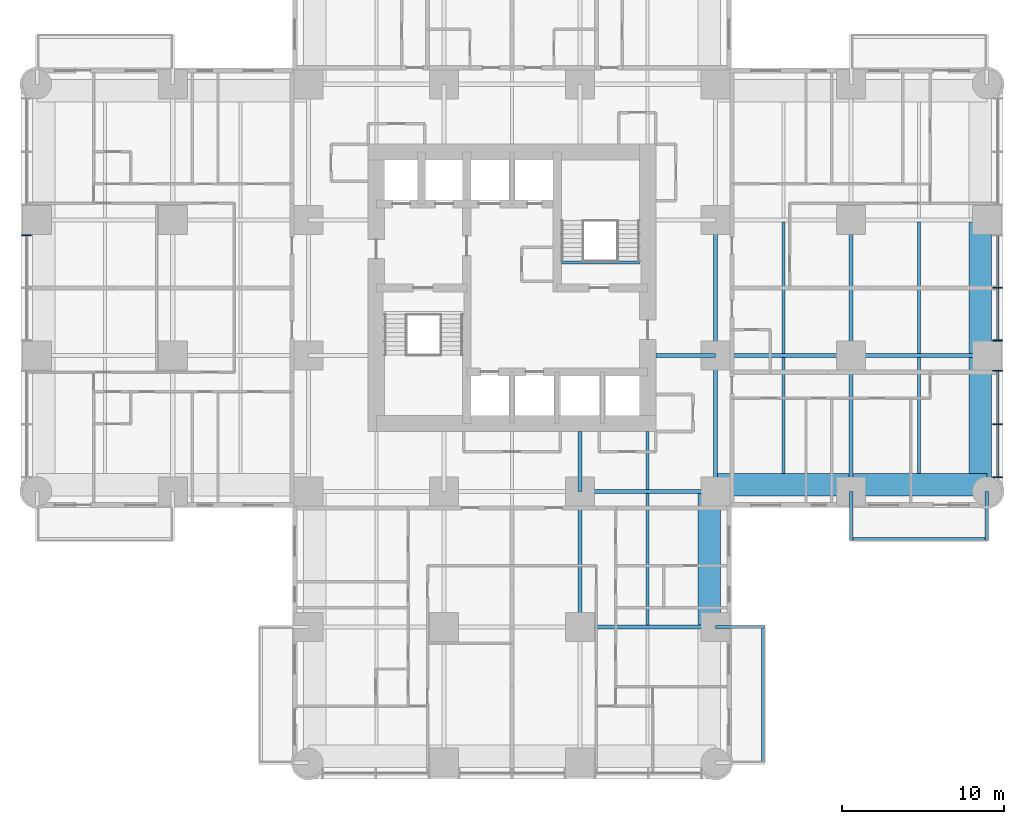
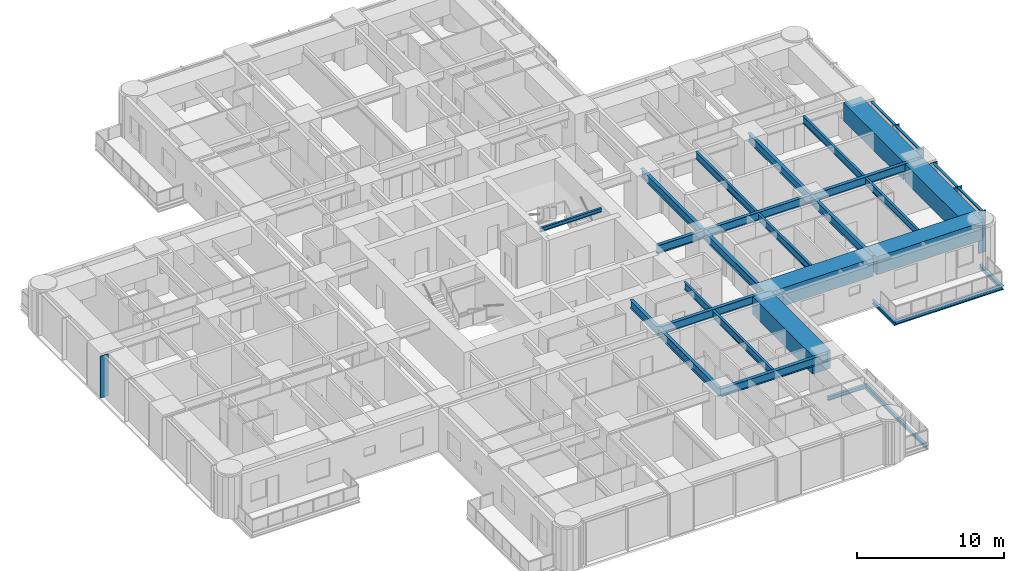
# One storey, part 3 of 17: 28 beams, 10 members, 2 elements without a shape of their own.
"""IFC4 building model written with IfcOpenShell, lengths in metres."""

from ifc_helpers import new_model, si_unit, direction, frame, origin, origin_2d, place, context, subcontext, project, spatial, rectangle, i_section, extrude, material, material_profile, profile_set, type_object, element, aggregate, save


model = new_model("IFC4")

# Units and contexts
model_context = context("Model", 3, precision=1e-05, world=origin(), true_north=direction((0.0, 1.0)))
body_context = subcontext(model_context, "Body", "Model", "MODEL_VIEW")
ifc_project = project(units=[si_unit("LENGTHUNIT", "METRE"), si_unit("AREAUNIT", "SQUARE_METRE"), si_unit("VOLUMEUNIT", "CUBIC_METRE"), si_unit("PLANEANGLEUNIT", "RADIAN"), si_unit("MASSUNIT", "GRAM", prefix="KILO")], contexts=[model_context])

# Site, building, storey
site_placement = place(None, origin())
site = spatial("IfcSite", under=ifc_project, at=site_placement, CompositionType="ELEMENT")
building_placement = place(site_placement, origin())
building = spatial("IfcBuilding", under=site, at=building_placement, Name="Torre Alcanfor", CompositionType="ELEMENT")
storey_placement = place(building_placement, frame((0.0, 0.0, 92.10009765625)))
storey = spatial("IfcBuildingStorey", under=building, at=storey_placement, Name="L23", CompositionType="ELEMENT", Elevation=92.10009765625)

# Beams
ifc_material_1 = material(Name="Steel ASTM A992 Grade 50", Category="steel")
ifc_material_profile_1 = material_profile(ifc_material_1, i_section(OverallWidth=0.205322265625, OverallDepth=0.309814453125, WebThickness=0.00927734375, FlangeThickness=0.016357421875, at=origin_2d()), Name="W12x50")
ifc_profile_set_1 = profile_set([ifc_material_profile_1], Name="Steel ASTM A992 Grade 50")
beam_type_1 = type_object("IfcBeamType", Name="Balcony cantilever beam W12x50", PredefinedType="BEAM", material=ifc_profile_set_1)
for number, where, z_axis, x_axis, name in (
    (1, (50.39990234375, 16.800048828125, -0.35498046875), (0.0, -1.0, 0.0), (1.0, 0.0, 0.0), "Balcony cantilever beam L23-E2 1"),
    (2, (58.800048828125, 16.800048828125, -0.35498046875), (0.0, -1.0, 0.0), (1.0, 0.0, 0.0), "Balcony cantilever beam L23-E2 2"),
    (3, (42.0, 8.39990234375, -0.35498046875), (1.0, 0.0, 0.0), (0.0, 1.0, 0.0), "Balcony cantilever beam L23-S1 1"),
):
    element("IfcBeam", number, at=place(storey_placement, frame(where, z_axis=z_axis, x_axis=x_axis)), inside=storey, type_object=beam_type_1, Name=name, PredefinedType="BEAM", context=body_context, shape_type="SweptSolid", body=[
        extrude(i_section(OverallWidth=0.205322265625, OverallDepth=0.309814453125, WebThickness=0.00927734375, FlangeThickness=0.016357421875, at=origin_2d()), origin(), (0.0, 0.0, 1.0), 3.050048828125),
    ])
ifc_material_2 = material(Name="Steel ASTM A992 Grade 50", Category="steel")
ifc_material_profile_2 = material_profile(ifc_material_2, i_section(OverallWidth=0.203369140625, OverallDepth=0.30224609375, WebThickness=0.007568359375, FlangeThickness=0.01318359375, at=origin_2d()), Name="W12x40")
ifc_profile_set_2 = profile_set([ifc_material_profile_2], Name="Steel ASTM A992 Grade 50")
beam_type_2 = type_object("IfcBeamType", Name="Balcony edge trimmer W12x40", PredefinedType="BEAM", material=ifc_profile_set_2)
beam_1_placement = place(storey_placement, frame((50.39990234375, 13.851806640625, -0.351318359375), z_axis=(1.0, 0.0, 0.0), x_axis=(0.0, 1.0, 0.0)))
element("IfcBeam", 4, at=beam_1_placement, inside=storey, type_object=beam_type_2, Name="Balcony edge trimmer L23-E2", PredefinedType="BEAM", context=body_context, shape_type="SweptSolid", body=[
    extrude(i_section(OverallWidth=0.203369140625, OverallDepth=0.30224609375, WebThickness=0.007568359375, FlangeThickness=0.01318359375, at=origin_2d()), origin(), (0.0, 0.0, 1.0), 8.400146484375),
])
beam_2_placement = place(storey_placement, frame((44.9482421875, 8.39990234375, -0.351318359375), z_axis=(0.0, -1.0, 0.0), x_axis=(1.0, 0.0, 0.0)))
element("IfcBeam", 5, at=beam_2_placement, inside=storey, type_object=beam_type_2, Name="Balcony edge trimmer L23-S1", PredefinedType="BEAM", context=body_context, shape_type="SweptSolid", body=[
    extrude(i_section(OverallWidth=0.203369140625, OverallDepth=0.30224609375, WebThickness=0.007568359375, FlangeThickness=0.01318359375, at=origin_2d()), origin(), (0.0, 0.0, 1.0), 8.39990234375),
])

# Curtain wall, member
ifc_material_3 = material(Name="Aluminium and glass", Category="aluminium")
curtain_wall_type = type_object("IfcCurtainWallType", Name="CW-A unitised apartment glazing with vertical FIN", PredefinedType="NOTDEFINED", material=ifc_material_3)
curtain_wall_1_placement = place(storey_placement, origin())
curtain_wall_1 = element("IfcCurtainWall", 6, at=curtain_wall_1_placement, inside=storey, type_object=curtain_wall_type, Name="Curtain wall CW-A L23 2", PredefinedType="NOTDEFINED")
ifc_material_4 = material(Name="Bronze anodised aluminium", Category="aluminium")
ifc_material_profile_3 = material_profile(ifc_material_4, rectangle(XDim=0.60009765625, YDim=0.06494140625, at=origin_2d()), Name="CW-A mullion 65x600")
ifc_profile_set_3 = profile_set([ifc_material_profile_3], Name="Bronze anodised aluminium")
member_type_1 = type_object("IfcMemberType", Name="CW-A mullion with vertical FIN 65x600", PredefinedType="MULLION", material=ifc_profile_set_3)
member_1_placement = place(storey_placement, frame((-0.64990234375, 32.66259765625, 0.0), z_axis=(0.0, 0.0, 1.0), x_axis=(1.0, 0.0, 0.0)))
member_1 = element("IfcMember", 7, at=member_1_placement, type_object=member_type_1, Name="CW-A mullion 2.1", PredefinedType="MULLION", context=body_context, shape_type="SweptSolid", body=[
    extrude(rectangle(XDim=0.60009765625, YDim=0.06494140625, at=origin_2d()), origin(), (0.0, 0.0, 1.0), 3.449951171875),
])
aggregate(curtain_wall_1, [member_1])

# Curtain wall, members
curtain_wall_2_placement = place(storey_placement, origin())
curtain_wall_2 = element("IfcCurtainWall", 8, at=curtain_wall_2_placement, inside=storey, type_object=curtain_wall_type, Name="Curtain wall CW-A L23 8", PredefinedType="NOTDEFINED")
member_2_placement = place(storey_placement, frame((59.449951171875, 17.6669921875, 0.0), z_axis=(0.0, 0.0, 1.0), x_axis=(-1.0, 0.0, 0.0)))
member_2 = element("IfcMember", 9, at=member_2_placement, type_object=member_type_1, Name="CW-A mullion 1.1", PredefinedType="MULLION", context=body_context, shape_type="SweptSolid", body=[
    extrude(rectangle(XDim=0.60009765625, YDim=0.06494140625, at=origin_2d()), origin(), (0.0, 0.0, 1.0), 3.449951171875),
])
member_3_placement = place(storey_placement, frame((59.449951171875, 20.96484375, 0.0), z_axis=(0.0, 0.0, 1.0), x_axis=(-1.0, 0.0, 0.0)))
member_3 = element("IfcMember", 10, at=member_3_placement, type_object=member_type_1, Name="CW-A mullion 1.2", PredefinedType="MULLION", context=body_context, shape_type="SweptSolid", body=[
    extrude(rectangle(XDim=0.60009765625, YDim=0.06494140625, at=origin_2d()), origin(), (0.0, 0.0, 1.0), 3.449951171875),
])
member_4_placement = place(storey_placement, frame((59.449951171875, 24.262451171875, 0.0), z_axis=(0.0, 0.0, 1.0), x_axis=(-1.0, 0.0, 0.0)))
member_4 = element("IfcMember", 11, at=member_4_placement, type_object=member_type_1, Name="CW-A mullion 1.3", PredefinedType="MULLION", context=body_context, shape_type="SweptSolid", body=[
    extrude(rectangle(XDim=0.60009765625, YDim=0.06494140625, at=origin_2d()), origin(), (0.0, 0.0, 1.0), 3.449951171875),
])
member_5_placement = place(storey_placement, frame((59.449951171875, 26.137451171875, 0.0), z_axis=(0.0, 0.0, 1.0), x_axis=(-1.0, 0.0, 0.0)))
member_5 = element("IfcMember", 12, at=member_5_placement, type_object=member_type_1, Name="CW-A mullion 2.1", PredefinedType="MULLION", context=body_context, shape_type="SweptSolid", body=[
    extrude(rectangle(XDim=0.60009765625, YDim=0.06494140625, at=origin_2d()), origin(), (0.0, 0.0, 1.0), 3.449951171875),
])
member_6_placement = place(storey_placement, frame((59.449951171875, 29.39990234375, 0.0), z_axis=(0.0, 0.0, 1.0), x_axis=(-1.0, 0.0, 0.0)))
member_6 = element("IfcMember", 13, at=member_6_placement, type_object=member_type_1, Name="CW-A mullion 2.2", PredefinedType="MULLION", context=body_context, shape_type="SweptSolid", body=[
    extrude(rectangle(XDim=0.60009765625, YDim=0.06494140625, at=origin_2d()), origin(), (0.0, 0.0, 1.0), 3.449951171875),
])
ifc_material_5 = material(Name="Extruded aluminium", Category="aluminium")
ifc_material_profile_4 = material_profile(ifc_material_5, rectangle(XDim=0.199951171875, YDim=0.06494140625, at=origin_2d()), Name="CW-A transom 200x65")
ifc_profile_set_4 = profile_set([ifc_material_profile_4], Name="Extruded aluminium")
member_type_2 = type_object("IfcMemberType", Name="CW-A transom 65x200", PredefinedType="USERDEFINED", material=ifc_profile_set_4)
member_7_placement = place(storey_placement, frame((59.449951171875, 17.699462890625, 3.41748046875), z_axis=(0.0, 1.0, 0.0), x_axis=(-1.0, 0.0, 0.0)))
member_7 = element("IfcMember", 14, at=member_7_placement, type_object=member_type_2, Name="CW-A transom 1.1.2", ObjectType="TRANSOM", PredefinedType="USERDEFINED", context=body_context, shape_type="SweptSolid", body=[
    extrude(rectangle(XDim=0.199951171875, YDim=0.06494140625, at=origin_2d()), origin(), (0.0, 0.0, 1.0), 3.232666015625),
])
member_8_placement = place(storey_placement, frame((59.449951171875, 20.997314453125, 3.41748046875), z_axis=(0.0, 1.0, 0.0), x_axis=(-1.0, 0.0, 0.0)))
member_8 = element("IfcMember", 15, at=member_8_placement, type_object=member_type_2, Name="CW-A transom 1.2.2", ObjectType="TRANSOM", PredefinedType="USERDEFINED", context=body_context, shape_type="SweptSolid", body=[
    extrude(rectangle(XDim=0.199951171875, YDim=0.06494140625, at=origin_2d()), origin(), (0.0, 0.0, 1.0), 3.232666015625),
])
member_9_placement = place(storey_placement, frame((59.449951171875, 26.169921875, 3.41748046875), z_axis=(0.0, 1.0, 0.0), x_axis=(-1.0, 0.0, 0.0)))
member_9 = element("IfcMember", 16, at=member_9_placement, type_object=member_type_2, Name="CW-A transom 2.1.2", ObjectType="TRANSOM", PredefinedType="USERDEFINED", context=body_context, shape_type="SweptSolid", body=[
    extrude(rectangle(XDim=0.199951171875, YDim=0.06494140625, at=origin_2d()), origin(), (0.0, 0.0, 1.0), 3.197509765625),
])
member_10_placement = place(storey_placement, frame((59.449951171875, 29.4326171875, 3.41748046875), z_axis=(0.0, 1.0, 0.0), x_axis=(-1.0, 0.0, 0.0)))
member_10 = element("IfcMember", 17, at=member_10_placement, type_object=member_type_2, Name="CW-A transom 2.2.2", ObjectType="TRANSOM", PredefinedType="USERDEFINED", context=body_context, shape_type="SweptSolid", body=[
    extrude(rectangle(XDim=0.199951171875, YDim=0.06494140625, at=origin_2d()), origin(), (0.0, 0.0, 1.0), 3.197265625),
])
aggregate(curtain_wall_2, [member_2, member_3, member_4, member_7, member_8, member_5, member_6, member_9, member_10])

# Beams
ifc_material_6 = material(Name="Steel ASTM A992 Grade 50", Category="steel")
ifc_material_profile_5 = material_profile(ifc_material_6, i_section(OverallWidth=0.25390625, OverallDepth=0.683349609375, WebThickness=0.012451171875, FlangeThickness=0.01904296875, at=origin_2d()), Name="W27x94")
ifc_profile_set_5 = profile_set([ifc_material_profile_5], Name="Steel ASTM A992 Grade 50")
beam_type_3 = type_object("IfcBeamType", Name="Girder W27x94", PredefinedType="BEAM", material=ifc_profile_set_5)
for number, where, z_axis, x_axis, name in (
    (18, (33.60009765625, 8.39990234375, 3.108154296875), (1.0, 0.0, 0.0), (0.0, 1.0, 0.0), "Beam 5D-6D under L24"),
    (19, (33.60009765625, 16.800048828125, 3.108154296875), (1.0, 0.0, 0.0), (0.0, 1.0, 0.0), "Beam 5E-6E under L24"),
    (20, (42.0, 25.199951171875, 3.108154296875), (1.0, 0.0, 0.0), (0.0, 1.0, 0.0), "Beam 6F-7F under L24"),
):
    element("IfcBeam", number, at=place(storey_placement, frame(where, z_axis=z_axis, x_axis=x_axis)), inside=storey, type_object=beam_type_3, Name=name, PredefinedType="BEAM", context=body_context, shape_type="SweptSolid", body=[
        extrude(i_section(OverallWidth=0.25390625, OverallDepth=0.683349609375, WebThickness=0.012451171875, FlangeThickness=0.01904296875, at=origin_2d()), origin(), (0.0, 0.0, 1.0), 8.39990234375),
    ])
for number, where, z_axis, x_axis, name in (
    (21, (50.39990234375, 25.199951171875, 3.108154296875), (1.0, 0.0, 0.0), (0.0, 1.0, 0.0), "Beam 7F-8F under L24"),
    (22, (33.60009765625, 8.39990234375, 3.108154296875), (0.0, 1.0, 0.0), (-1.0, 0.0, 0.0), "Beam 5D-5E under L24"),
):
    element("IfcBeam", number, at=place(storey_placement, frame(where, z_axis=z_axis, x_axis=x_axis)), inside=storey, type_object=beam_type_3, Name=name, PredefinedType="BEAM", context=body_context, shape_type="SweptSolid", body=[
        extrude(i_section(OverallWidth=0.25390625, OverallDepth=0.683349609375, WebThickness=0.012451171875, FlangeThickness=0.01904296875, at=origin_2d()), origin(), (0.0, 0.0, 1.0), 8.400146484375),
    ])
beam_3_placement = place(storey_placement, frame((42.0, 16.800048828125, 3.108154296875), z_axis=(0.0, 1.0, 0.0), x_axis=(-1.0, 0.0, 0.0)))
element("IfcBeam", 23, at=beam_3_placement, inside=storey, type_object=beam_type_3, Name="Beam 6E-6F under L24", PredefinedType="BEAM", context=body_context, shape_type="SweptSolid", body=[
    extrude(i_section(OverallWidth=0.25390625, OverallDepth=0.683349609375, WebThickness=0.012451171875, FlangeThickness=0.01904296875, at=origin_2d()), origin(), (0.0, 0.0, 1.0), 8.39990234375),
])
beam_4_placement = place(storey_placement, frame((42.0, 25.199951171875, 3.108154296875), z_axis=(0.0, 1.0, 0.0), x_axis=(-1.0, 0.0, 0.0)))
element("IfcBeam", 24, at=beam_4_placement, inside=storey, type_object=beam_type_3, Name="Beam 6F-6G under L24", PredefinedType="BEAM", context=body_context, shape_type="SweptSolid", body=[
    extrude(i_section(OverallWidth=0.25390625, OverallDepth=0.683349609375, WebThickness=0.012451171875, FlangeThickness=0.01904296875, at=origin_2d()), origin(), (0.0, 0.0, 1.0), 8.400146484375),
])
beam_5_placement = place(storey_placement, frame((50.39990234375, 16.800048828125, 3.108154296875), z_axis=(0.0, 1.0, 0.0), x_axis=(-1.0, 0.0, 0.0)))
element("IfcBeam", 25, at=beam_5_placement, inside=storey, type_object=beam_type_3, Name="Beam 7E-7F under L24", PredefinedType="BEAM", context=body_context, shape_type="SweptSolid", body=[
    extrude(i_section(OverallWidth=0.25390625, OverallDepth=0.683349609375, WebThickness=0.012451171875, FlangeThickness=0.01904296875, at=origin_2d()), origin(), (0.0, 0.0, 1.0), 8.39990234375),
])
beam_6_placement = place(storey_placement, frame((50.39990234375, 25.199951171875, 3.108154296875), z_axis=(0.0, 1.0, 0.0), x_axis=(-1.0, 0.0, 0.0)))
element("IfcBeam", 26, at=beam_6_placement, inside=storey, type_object=beam_type_3, Name="Beam 7F-7G under L24", PredefinedType="BEAM", context=body_context, shape_type="SweptSolid", body=[
    extrude(i_section(OverallWidth=0.25390625, OverallDepth=0.683349609375, WebThickness=0.012451171875, FlangeThickness=0.01904296875, at=origin_2d()), origin(), (0.0, 0.0, 1.0), 8.400146484375),
])
ifc_material_7 = material(Name="Steel ASTM A992 Grade 50", Category="steel")
ifc_material_profile_6 = material_profile(ifc_material_7, i_section(OverallWidth=0.25390625, OverallDepth=0.683349609375, WebThickness=0.012451171875, FlangeThickness=0.01904296875, at=origin_2d()), Name="W27x94")
ifc_profile_set_6 = profile_set([ifc_material_profile_6], Name="Steel ASTM A992 Grade 50")
beam_type_4 = type_object("IfcBeamType", Name="Girder, part bay W27x94", PredefinedType="BEAM", material=ifc_profile_set_6)
for number, where, z_axis, x_axis, name in (
    (27, (33.60009765625, 16.800048828125, 3.108154296875), (0.0, 1.0, 0.0), (-1.0, 0.0, 0.0), "Beam 5E-520_5 under L24"),
    (28, (42.0, 25.199951171875, 3.108154296875), (-1.0, 0.0, 0.0), (0.0, -1.0, 0.0), "Beam 6F-38_3F under L24"),
):
    element("IfcBeam", number, at=place(storey_placement, frame(where, z_axis=z_axis, x_axis=x_axis)), inside=storey, type_object=beam_type_4, Name=name, PredefinedType="BEAM", context=body_context, shape_type="SweptSolid", body=[
        extrude(i_section(OverallWidth=0.25390625, OverallDepth=0.683349609375, WebThickness=0.012451171875, FlangeThickness=0.01904296875, at=origin_2d()), origin(), (0.0, 0.0, 1.0), 3.699951171875),
    ])
ifc_material_8 = material(Name="Concrete f'c 70 MPa", Category="concrete")
ifc_material_profile_7 = material_profile(ifc_material_8, rectangle(XDim=1.39990234375, YDim=1.5, at=origin_2d()), Name="1400x1500")
ifc_profile_set_7 = profile_set([ifc_material_profile_7], Name="Concrete f'c 70 MPa")
beam_type_5 = type_object("IfcBeamType", Name="RC perimeter beam 1400x1500", PredefinedType="BEAM", material=ifc_profile_set_7)
beam_7_placement = place(storey_placement, frame((41.873046875, 17.199951171875, 2.699951171875), z_axis=(1.0, 0.0, 0.0), x_axis=(0.0, 1.0, 0.0)))
element("IfcBeam", 29, at=beam_7_placement, inside=storey, type_object=beam_type_5, Name="Beam 6E-7E under L24", PredefinedType="BEAM", context=body_context, shape_type="SweptSolid", body=[
    extrude(rectangle(XDim=1.39990234375, YDim=1.5, at=origin_2d()), origin(), (0.0, 0.0, 1.0), 8.39990234375),
])
beam_8_placement = place(storey_placement, frame((50.527099609375, 17.199951171875, 2.699951171875), z_axis=(1.0, 0.0, 0.0), x_axis=(0.0, 1.0, 0.0)))
element("IfcBeam", 30, at=beam_8_placement, inside=storey, type_object=beam_type_5, Name="Beam 7E-8E under L24", PredefinedType="BEAM", context=body_context, shape_type="SweptSolid", body=[
    extrude(rectangle(XDim=1.39990234375, YDim=1.5, at=origin_2d()), origin(), (0.0, 0.0, 1.0), 8.27294921875),
])
beam_9_placement = place(storey_placement, frame((41.60009765625, 8.527099609375, 2.699951171875), z_axis=(0.0, 1.0, 0.0), x_axis=(-1.0, 0.0, 0.0)))
element("IfcBeam", 31, at=beam_9_placement, inside=storey, type_object=beam_type_5, Name="Beam 6D-6E under L24", PredefinedType="BEAM", context=body_context, shape_type="SweptSolid", body=[
    extrude(rectangle(XDim=1.39990234375, YDim=1.5, at=origin_2d()), origin(), (0.0, 0.0, 1.0), 8.14599609375),
])
beam_10_placement = place(storey_placement, frame((58.39990234375, 16.800048828125, 2.699951171875), z_axis=(0.0, 1.0, 0.0), x_axis=(-1.0, 0.0, 0.0)))
element("IfcBeam", 32, at=beam_10_placement, inside=storey, type_object=beam_type_5, Name="Beam 8E-8F under L24", PredefinedType="BEAM", context=body_context, shape_type="SweptSolid", body=[
    extrude(rectangle(XDim=1.39990234375, YDim=1.5, at=origin_2d()), origin(), (0.0, 0.0, 1.0), 8.27294921875),
])
beam_11_placement = place(storey_placement, frame((58.39990234375, 25.326904296875, 2.699951171875), z_axis=(0.0, 1.0, 0.0), x_axis=(-1.0, 0.0, 0.0)))
element("IfcBeam", 33, at=beam_11_placement, inside=storey, type_object=beam_type_5, Name="Beam 8F-8G under L24", PredefinedType="BEAM", context=body_context, shape_type="SweptSolid", body=[
    extrude(rectangle(XDim=1.39990234375, YDim=1.5, at=origin_2d()), origin(), (0.0, 0.0, 1.0), 8.14599609375),
])
ifc_material_9 = material(Name="Steel ASTM A992 Grade 50", Category="steel")
ifc_material_profile_8 = material_profile(ifc_material_9, i_section(OverallWidth=0.1787109375, OverallDepth=0.60205078125, WebThickness=0.010986328125, FlangeThickness=0.014892578125, at=origin_2d()), Name="W24x62")
ifc_profile_set_8 = profile_set([ifc_material_profile_8], Name="Steel ASTM A992 Grade 50")
beam_type_6 = type_object("IfcBeamType", Name="Secondary beam W24x62", PredefinedType="BEAM", material=ifc_profile_set_8)
beam_12_placement = place(storey_placement, frame((37.800048828125, 8.527099609375, 3.14892578125), z_axis=(0.0, 1.0, 0.0), x_axis=(-1.0, 0.0, 0.0)))
element("IfcBeam", 34, at=beam_12_placement, inside=storey, type_object=beam_type_6, Name="Beam 37_8D-37_8E under L24", PredefinedType="BEAM", context=body_context, shape_type="SweptSolid", body=[
    extrude(i_section(OverallWidth=0.1787109375, OverallDepth=0.60205078125, WebThickness=0.010986328125, FlangeThickness=0.014892578125, at=origin_2d()), origin(), (0.0, 0.0, 1.0), 8.14599609375),
])
beam_13_placement = place(storey_placement, frame((46.199951171875, 17.89990234375, 3.14892578125), z_axis=(0.0, 1.0, 0.0), x_axis=(-1.0, 0.0, 0.0)))
element("IfcBeam", 35, at=beam_13_placement, inside=storey, type_object=beam_type_6, Name="Beam 46_2E-46_2F under L24", PredefinedType="BEAM", context=body_context, shape_type="SweptSolid", body=[
    extrude(i_section(OverallWidth=0.1787109375, OverallDepth=0.60205078125, WebThickness=0.010986328125, FlangeThickness=0.014892578125, at=origin_2d()), origin(), (0.0, 0.0, 1.0), 7.173095703125),
])
beam_14_placement = place(storey_placement, frame((46.199951171875, 25.326904296875, 3.14892578125), z_axis=(0.0, 1.0, 0.0), x_axis=(-1.0, 0.0, 0.0)))
element("IfcBeam", 36, at=beam_14_placement, inside=storey, type_object=beam_type_6, Name="Beam 46_2F-46_2G under L24", PredefinedType="BEAM", context=body_context, shape_type="SweptSolid", body=[
    extrude(i_section(OverallWidth=0.1787109375, OverallDepth=0.60205078125, WebThickness=0.010986328125, FlangeThickness=0.014892578125, at=origin_2d()), origin(), (0.0, 0.0, 1.0), 8.14599609375),
])
beam_15_placement = place(storey_placement, frame((54.60009765625, 17.89990234375, 3.14892578125), z_axis=(0.0, 1.0, 0.0), x_axis=(-1.0, 0.0, 0.0)))
element("IfcBeam", 37, at=beam_15_placement, inside=storey, type_object=beam_type_6, Name="Beam 54_6E-54_6F under L24", PredefinedType="BEAM", context=body_context, shape_type="SweptSolid", body=[
    extrude(i_section(OverallWidth=0.1787109375, OverallDepth=0.60205078125, WebThickness=0.010986328125, FlangeThickness=0.014892578125, at=origin_2d()), origin(), (0.0, 0.0, 1.0), 7.173095703125),
])
beam_16_placement = place(storey_placement, frame((54.60009765625, 25.326904296875, 3.14892578125), z_axis=(0.0, 1.0, 0.0), x_axis=(-1.0, 0.0, 0.0)))
element("IfcBeam", 38, at=beam_16_placement, inside=storey, type_object=beam_type_6, Name="Beam 54_6F-54_6G under L24", PredefinedType="BEAM", context=body_context, shape_type="SweptSolid", body=[
    extrude(i_section(OverallWidth=0.1787109375, OverallDepth=0.60205078125, WebThickness=0.010986328125, FlangeThickness=0.014892578125, at=origin_2d()), origin(), (0.0, 0.0, 1.0), 8.14599609375),
])
ifc_material_10 = material(Name="Steel ASTM A992 Grade 50", Category="steel")
ifc_material_profile_9 = material_profile(ifc_material_10, i_section(OverallWidth=0.1787109375, OverallDepth=0.60205078125, WebThickness=0.010986328125, FlangeThickness=0.014892578125, at=origin_2d()), Name="W24x62")
ifc_profile_set_9 = profile_set([ifc_material_profile_9], Name="Steel ASTM A992 Grade 50")
beam_type_7 = type_object("IfcBeamType", Name="Secondary beam, part bay W24x62", PredefinedType="BEAM", material=ifc_profile_set_9)
beam_17_placement = place(storey_placement, frame((37.800048828125, 16.927001953125, 3.14892578125), z_axis=(0.0, 1.0, 0.0), x_axis=(-1.0, 0.0, 0.0)))
element("IfcBeam", 39, at=beam_17_placement, inside=storey, type_object=beam_type_7, Name="Beam 37_8E-37_820_5 under L24", PredefinedType="BEAM", context=body_context, shape_type="SweptSolid", body=[
    extrude(i_section(OverallWidth=0.1787109375, OverallDepth=0.60205078125, WebThickness=0.010986328125, FlangeThickness=0.014892578125, at=origin_2d()), origin(), (0.0, 0.0, 1.0), 3.572998046875),
])
ifc_material_11 = material(Name="Steel ASTM A992 Grade 50", Category="steel")
ifc_material_profile_10 = material_profile(ifc_material_11, i_section(OverallWidth=0.164794921875, OverallDepth=0.309814453125, WebThickness=0.005859375, FlangeThickness=0.009765625, at=origin_2d()), Name="W12x26")
ifc_profile_set_10 = profile_set([ifc_material_profile_10], Name="Steel ASTM A992 Grade 50")
beam_type_8 = type_object("IfcBeamType", Name="Stair landing beam W12x26", PredefinedType="BEAM", material=ifc_profile_set_10)
beam_18_placement = place(storey_placement, frame((32.449951171875, 30.962646484375, 3.244873046875), z_axis=(1.0, 0.0, 0.0), x_axis=(0.0, 1.0, 0.0)))
element("IfcBeam", 40, at=beam_18_placement, inside=storey, type_object=beam_type_8, Name="Landing trimmer S2 L24", PredefinedType="BEAM", context=body_context, shape_type="SweptSolid", body=[
    extrude(i_section(OverallWidth=0.164794921875, OverallDepth=0.309814453125, WebThickness=0.005859375, FlangeThickness=0.009765625, at=origin_2d()), origin(), (0.0, 0.0, 1.0), 4.85009765625),
])

save(model, "model.ifc")
